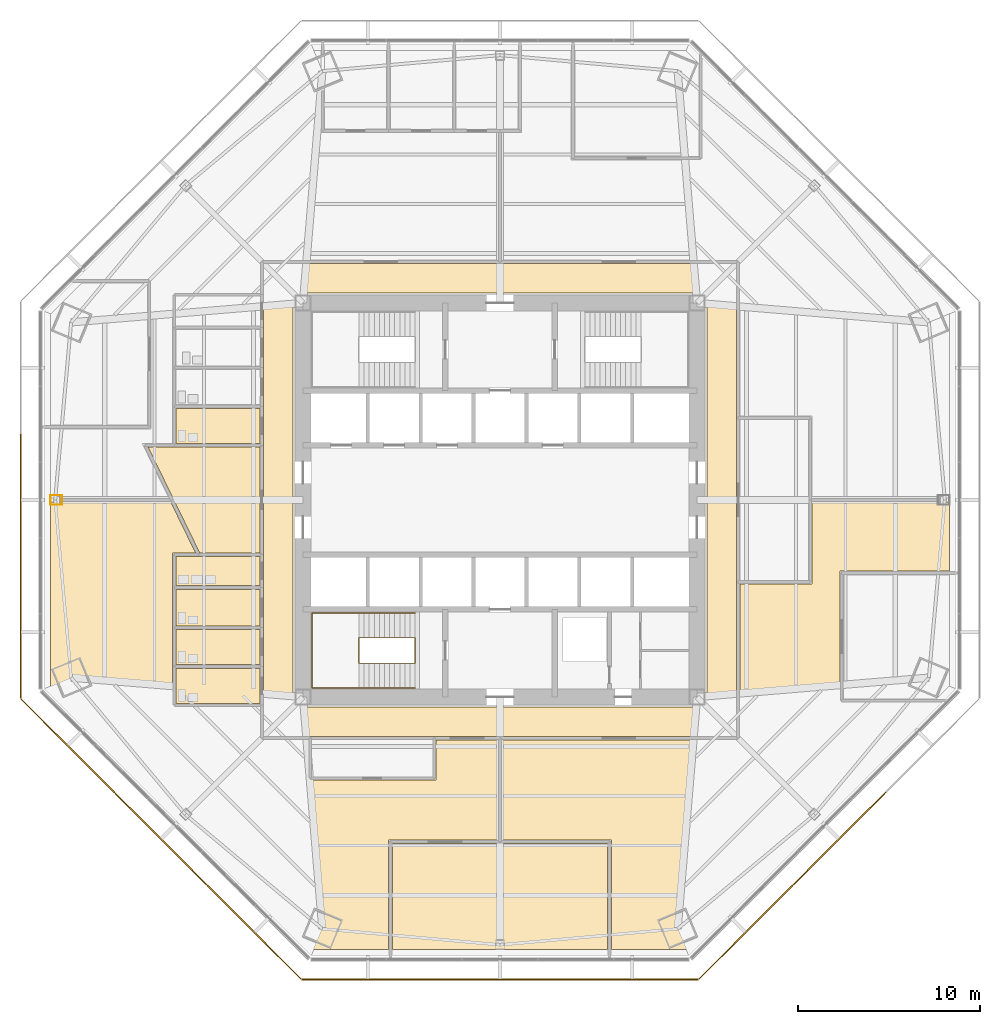
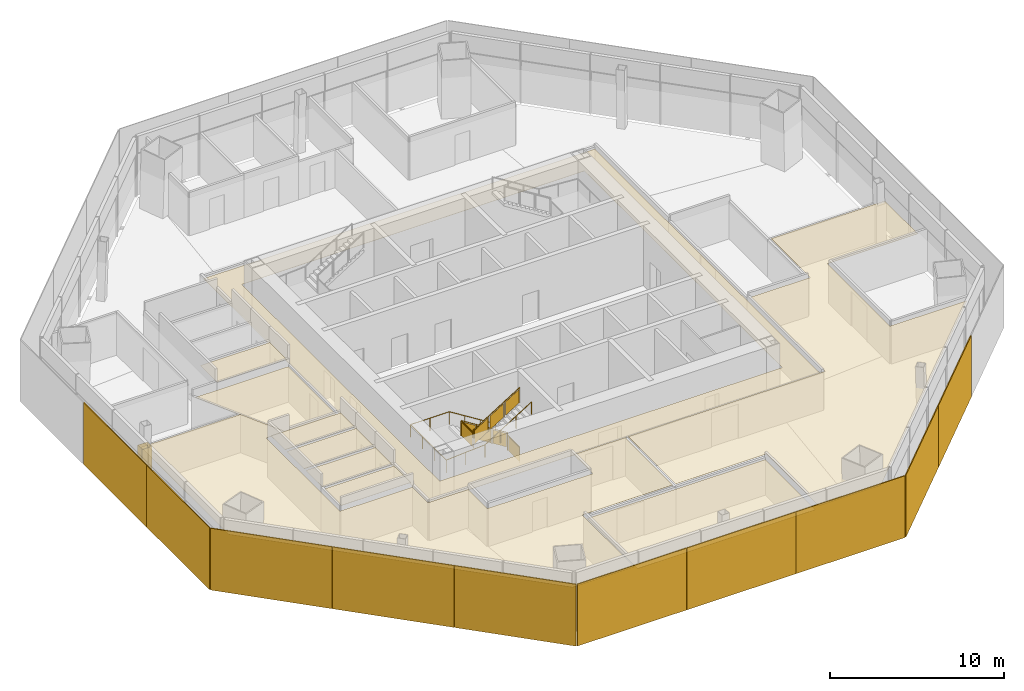
# One storey, part 13 of 16: 11 coverings, 10 shading devices, 2 railings.
"""IFC4 building model written with IfcOpenShell, lengths in metres."""

from ifc_helpers import new_model, si_unit, direction, frame, origin, origin_2d, place, context, subcontext, project, spatial, polyline, rectangle, circle, outline, extrude, source, transform, mapped, material, layer, layer_set, type_object, type_shapes, element, save


model = new_model("IFC4")

# Units and contexts
model_context = context("Model", 3, precision=1e-05, world=origin(), true_north=direction((0.0, 1.0)))
body_context = subcontext(model_context, "Body", "Model", "MODEL_VIEW")
ifc_project = project(units=[si_unit("LENGTHUNIT", "METRE"), si_unit("AREAUNIT", "SQUARE_METRE"), si_unit("VOLUMEUNIT", "CUBIC_METRE"), si_unit("PLANEANGLEUNIT", "RADIAN"), si_unit("MASSUNIT", "GRAM", prefix="KILO")], contexts=[model_context])

# Site, building, storey
site_placement = place(None, origin())
site = spatial("IfcSite", under=ifc_project, at=site_placement, CompositionType="ELEMENT")
building_placement = place(site_placement, origin())
building = spatial("IfcBuilding", under=site, at=building_placement, Name="Mashrafa Tower", CompositionType="ELEMENT")
storey_placement = place(building_placement, frame((0.0, 0.0, 100.199951171875)))
storey = spatial("IfcBuildingStorey", under=building, at=storey_placement, Name="L22", CompositionType="ELEMENT", Elevation=100.199951171875)

# Covering
ifc_material_1 = material(Name="Gypsum board")
ifc_layer_1 = layer(ifc_material_1, 0.014892578125)
ifc_layer_set_1 = layer_set([ifc_layer_1], Name="Column casing plasterboard 15")
covering_type_1 = type_object("IfcCoveringType", Name="Column casing plasterboard 15", PredefinedType="CLADDING", material=ifc_layer_set_1)
covering_1_placement = place(storey_placement, origin())
element("IfcCovering", 1, at=covering_1_placement, inside=storey, type_object=covering_type_1, Name="Column casing L22-002", PredefinedType="CLADDING", context=body_context, shape_type="SweptSolid", body=[
    extrude(outline(polyline([(-24.645263671875, 0.264892578125), (-23.996337890625, 0.264892578125), (-23.996337890625, -0.264892578125), (-24.645263671875, -0.264892578125), (-24.645263671875, 0.264892578125)]), holes=[polyline([(-24.01123046875, -0.25), (-24.01123046875, 0.25), (-24.63037109375, 0.25), (-24.63037109375, -0.25), (-24.01123046875, -0.25)])]), origin(), (0.0, 0.0, 1.0), 2.64013671875),
])

# Railings
ifc_material_2 = material(Name="Steel guard with glass infill", Category="steel")
railing_type_1 = type_object("IfcRailingType", Name="Stair guard 1100", PredefinedType="GUARDRAIL", material=ifc_material_2)
railing_1_placement = place(storey_placement, frame((-4.64990234375, -8.949951171875, 0.0)))
element("IfcRailing", 2, at=railing_1_placement, inside=storey, type_object=railing_type_1, Name="Stair S3 guard L22", PredefinedType="GUARDRAIL", context=body_context, shape_type="SweptSolid", body=[
    extrude(circle(Radius=0.02392578125, at=origin_2d()), frame((0.0, 0.0, 1.076171875), z_axis=(0.0, 1.0, 0.0), x_axis=(-1.0, 0.0, 0.0)), (0.0, 0.0, 1.0), 1.39990234375),
    extrude(circle(Radius=0.02392578125, at=origin_2d()), frame((0.0, 1.39990234375, 1.076171875), z_axis=(0.0, 0.0, 1.0), x_axis=(1.0, 0.0, 0.0)), (0.0, 0.0, 1.0), 0.175048828125),
    extrude(circle(Radius=0.02392578125, at=origin_2d()), frame((0.0, 1.39990234375, 1.2509765625), z_axis=(-0.847998304005, 0.0, 0.529998940003), x_axis=(0.0, -1.0, 0.0)), (0.0, 0.0, 1.0), 3.632080078125),
    extrude(circle(Radius=0.02392578125, at=origin_2d()), frame((-3.080078125, 1.39990234375, 3.17626953125), z_axis=(0.0, -1.0, 0.0), x_axis=(1.0, 0.0, 0.0)), (0.0, 0.0, 1.0), 1.39990234375),
    extrude(circle(Radius=0.02392578125, at=origin_2d()), frame((-3.080078125, 0.0, 3.17626953125), z_axis=(0.0, 0.0, 1.0), x_axis=(1.0, 0.0, 0.0)), (0.0, 0.0, 1.0), 0.175048828125),
    extrude(circle(Radius=0.02392578125, at=origin_2d()), frame((-3.080078125, 0.0, 3.35107421875), z_axis=(0.848028513186, 0.0, 0.529950602248), x_axis=(0.0, 1.0, 0.0)), (0.0, 0.0, 1.0), 3.632080078125),
    extrude(circle(Radius=0.02099609375, at=origin_2d()), origin(), (0.0, 0.0, 1.0), 1.052001953125),
    extrude(circle(Radius=0.02099609375, at=origin_2d()), frame((0.0, 1.39990234375, 0.0)), (0.0, 0.0, 1.0), 1.052001953125),
    extrude(circle(Radius=0.02099609375, at=origin_2d()), frame((0.0, 1.39990234375, 0.175048828125)), (0.0, 0.0, 1.0), 1.052001953125),
    extrude(circle(Radius=0.02099609375, at=origin_2d()), frame((-1.026611328125, 1.39990234375, 0.816650390625)), (0.0, 0.0, 1.0), 1.052001953125),
    extrude(circle(Radius=0.02099609375, at=origin_2d()), frame((-2.053466796875, 1.39990234375, 1.45849609375)), (0.0, 0.0, 1.0), 1.052001953125),
    extrude(circle(Radius=0.02099609375, at=origin_2d()), frame((-3.080078125, 1.39990234375, 2.10009765625)), (0.0, 0.0, 1.0), 1.052001953125),
    extrude(circle(Radius=0.02099609375, at=origin_2d()), frame((-3.080078125, 0.0, 2.10009765625)), (0.0, 0.0, 1.0), 1.052001953125),
    extrude(circle(Radius=0.02099609375, at=origin_2d()), frame((-3.080078125, 0.0, 2.275146484375)), (0.0, 0.0, 1.0), 1.052001953125),
    extrude(circle(Radius=0.02099609375, at=origin_2d()), frame((-2.053466796875, 0.0, 2.916748046875)), (0.0, 0.0, 1.0), 1.052001953125),
    extrude(circle(Radius=0.02099609375, at=origin_2d()), frame((-1.026611328125, 0.0, 3.558349609375)), (0.0, 0.0, 1.0), 1.052001953125),
    extrude(circle(Radius=0.02099609375, at=origin_2d()), frame((0.0, 0.0, 4.199951171875)), (0.0, 0.0, 1.0), 1.052001953125),
    extrude(outline(polyline([(0.071044921875, 0.050048828125), (1.328857421875, 0.050048828125), (1.328857421875, 1.001953125), (0.071044921875, 1.001953125), (0.071044921875, 0.050048828125)])), frame((0.006103515625, 0.0, 0.0), z_axis=(1.0, 0.0, 0.0), x_axis=(0.0, 1.0, 0.0)), (0.0, 0.0, 1.0), 0.011962890625),
    extrude(outline(polyline([(0.071044921875, 0.094482421875), (0.955810546875, 0.647216796875), (0.955810546875, 1.599365234375), (0.071044921875, 1.04638671875), (0.071044921875, 0.094482421875)])), frame((0.0, 1.406005859375, 0.175048828125), z_axis=(0.0, 1.0, 0.0), x_axis=(-1.0, 0.0, 0.0)), (0.0, 0.0, 1.0), 0.011962890625),
    extrude(outline(polyline([(1.09765625, 0.736083984375), (1.982421875, 1.2890625), (1.982421875, 2.240966796875), (1.09765625, 1.68798828125), (1.09765625, 0.736083984375)])), frame((0.0, 1.406005859375, 0.175048828125), z_axis=(0.0, 1.0, 0.0), x_axis=(-1.0, 0.0, 0.0)), (0.0, 0.0, 1.0), 0.011962890625),
    extrude(outline(polyline([(2.124267578125, 1.377685546875), (3.009033203125, 1.9306640625), (3.009033203125, 2.882568359375), (2.124267578125, 2.329833984375), (2.124267578125, 1.377685546875)])), frame((0.0, 1.406005859375, 0.175048828125), z_axis=(0.0, 1.0, 0.0), x_axis=(-1.0, 0.0, 0.0)), (0.0, 0.0, 1.0), 0.011962890625),
    extrude(outline(polyline([(0.071044921875, 0.050048828125), (1.328857421875, 0.050048828125), (1.328857421875, 1.001953125), (0.071044921875, 1.001953125), (0.071044921875, 0.050048828125)])), frame((-3.086181640625, 1.39990234375, 2.10009765625), z_axis=(-1.0, 0.0, 0.0), x_axis=(0.0, -1.0, 0.0)), (0.0, 0.0, 1.0), 0.011962890625),
    extrude(outline(polyline([(0.071044921875, 0.094482421875), (0.955810546875, 0.647216796875), (0.955810546875, 1.59912109375), (0.071044921875, 1.04638671875), (0.071044921875, 0.094482421875)])), frame((-3.080078125, -0.006103515625, 2.275146484375), z_axis=(0.0, -1.0, 0.0), x_axis=(1.0, 0.0, 0.0)), (0.0, 0.0, 1.0), 0.011962890625),
    extrude(outline(polyline([(1.09765625, 0.736083984375), (1.982421875, 1.288818359375), (1.982421875, 2.24072265625), (1.09765625, 1.68798828125), (1.09765625, 0.736083984375)])), frame((-3.080078125, -0.006103515625, 2.275146484375), z_axis=(0.0, -1.0, 0.0), x_axis=(1.0, 0.0, 0.0)), (0.0, 0.0, 1.0), 0.011962890625),
    extrude(outline(polyline([(2.124267578125, 1.377685546875), (3.009033203125, 1.930419921875), (3.009033203125, 2.88232421875), (2.124267578125, 2.32958984375), (2.124267578125, 1.377685546875)])), frame((-3.080078125, -0.006103515625, 2.275146484375), z_axis=(0.0, -1.0, 0.0), x_axis=(1.0, 0.0, 0.0)), (0.0, 0.0, 1.0), 0.011962890625),
])
ifc_material_3 = material(Name="Steel", Category="steel")
railing_type_2 = type_object("IfcRailingType", Name="Stair handrail 900", PredefinedType="HANDRAIL", material=ifc_material_3)
railing_2_placement = place(storey_placement, frame((-4.64990234375, -6.199951171875, 0.175048828125)))
element("IfcRailing", 3, at=railing_2_placement, inside=storey, type_object=railing_type_2, Name="Stair S3 handrail L22", PredefinedType="HANDRAIL", context=body_context, shape_type="SweptSolid", body=[
    extrude(circle(Radius=0.02392578125, at=origin_2d()), frame((0.0, 0.0, 0.8759765625), z_axis=(-0.847998304005, 0.0, 0.529998940003), x_axis=(0.0, -1.0, 0.0)), (0.0, 0.0, 1.0), 3.632080078125),
    extrude(circle(Radius=0.02392578125, at=origin_2d()), frame((-3.080078125, 0.0, 2.80078125), z_axis=(-1.0, 0.0, 0.0), x_axis=(0.0, -1.0, 0.0)), (0.0, 0.0, 1.0), 2.570068359375),
    extrude(circle(Radius=0.02392578125, at=origin_2d()), frame((-5.650146484375, 0.0, 2.80078125), z_axis=(0.0, -1.0, 0.0), x_axis=(1.0, 0.0, 0.0)), (0.0, 0.0, 1.0), 4.10009765625),
    extrude(circle(Radius=0.02392578125, at=origin_2d()), frame((-5.650146484375, -4.10009765625, 2.80078125), z_axis=(0.997688514158, 0.0, 0.067953136188), x_axis=(0.0, 1.0, 0.0)), (0.0, 0.0, 1.0), 2.575927734375),
    extrude(circle(Radius=0.02392578125, at=origin_2d()), frame((-3.080078125, -4.10009765625, 2.97607421875), z_axis=(0.848028513186, 0.0, 0.529950602248), x_axis=(0.0, 1.0, 0.0)), (0.0, 0.0, 1.0), 3.632080078125),
    extrude(circle(Radius=0.02099609375, at=origin_2d()), origin(), (0.0, 0.0, 1.0), 0.851806640625),
    extrude(circle(Radius=0.02099609375, at=origin_2d()), frame((-1.026611328125, 0.0, 0.6416015625)), (0.0, 0.0, 1.0), 0.851806640625),
    extrude(circle(Radius=0.02099609375, at=origin_2d()), frame((-2.053466796875, 0.0, 1.283447265625)), (0.0, 0.0, 1.0), 0.851806640625),
    extrude(circle(Radius=0.02099609375, at=origin_2d()), frame((-3.080078125, 0.0, 1.925048828125)), (0.0, 0.0, 1.0), 0.851806640625),
    extrude(circle(Radius=0.02099609375, at=origin_2d()), frame((-4.365234375, 0.0, 1.925048828125)), (0.0, 0.0, 1.0), 0.851806640625),
    extrude(circle(Radius=0.02099609375, at=origin_2d()), frame((-5.650146484375, 0.0, 1.925048828125)), (0.0, 0.0, 1.0), 0.851806640625),
    extrude(circle(Radius=0.02099609375, at=origin_2d()), frame((-5.650146484375, -1.36669921875, 1.925048828125)), (0.0, 0.0, 1.0), 0.851806640625),
    extrude(circle(Radius=0.02099609375, at=origin_2d()), frame((-5.650146484375, -2.7333984375, 1.925048828125)), (0.0, 0.0, 1.0), 0.851806640625),
    extrude(circle(Radius=0.02099609375, at=origin_2d()), frame((-5.650146484375, -4.10009765625, 1.925048828125)), (0.0, 0.0, 1.0), 0.851806640625),
    extrude(circle(Radius=0.02099609375, at=origin_2d()), frame((-4.365234375, -4.10009765625, 2.0126953125)), (0.0, 0.0, 1.0), 0.851806640625),
    extrude(circle(Radius=0.02099609375, at=origin_2d()), frame((-3.080078125, -4.10009765625, 2.10009765625)), (0.0, 0.0, 1.0), 0.851806640625),
    extrude(circle(Radius=0.02099609375, at=origin_2d()), frame((-2.053466796875, -4.10009765625, 2.74169921875)), (0.0, 0.0, 1.0), 0.851806640625),
    extrude(circle(Radius=0.02099609375, at=origin_2d()), frame((-1.026611328125, -4.10009765625, 3.38330078125)), (0.0, 0.0, 1.0), 0.851806640625),
    extrude(circle(Radius=0.02099609375, at=origin_2d()), frame((0.0, -4.10009765625, 4.02490234375)), (0.0, 0.0, 1.0), 0.851806640625),
])

# Coverings
ifc_material_4 = material(Name="Mineral fibre tile on suspension grid")
ifc_layer_2 = layer(ifc_material_4, 0.014892578125)
ifc_layer_set_2 = layer_set([ifc_layer_2], Name="Suspended ceiling mineral tile 15")
covering_type_2 = type_object("IfcCoveringType", Name="Suspended ceiling mineral tile 15", PredefinedType="CEILING", material=ifc_layer_set_2)
covering_2_placement = place(storey_placement, frame((0.0, 0.0, 2.5)))
element("IfcCovering", 4, at=covering_2_placement, inside=storey, type_object=covering_type_2, Name="Ceiling Office Corridor L22", PredefinedType="CEILING", context=body_context, shape_type="SweptSolid", body=[
    extrude(outline(polyline([(-12.949951171875, -12.949951171875), (-12.949951171875, 12.949951171875), (12.949951171875, 12.949951171875), (12.949951171875, -12.949951171875), (-12.949951171875, -12.949951171875)]), holes=[polyline([(11.35009765625, 11.35009765625), (-11.35009765625, 11.35009765625), (-11.35009765625, -11.35009765625), (11.35009765625, -11.35009765625), (11.35009765625, 11.35009765625)])]), origin(), (0.0, 0.0, 1.0), 0.01513671875),
])
covering_3_placement = place(storey_placement, frame((0.0, 0.0, 2.900146484375)))
element("IfcCovering", 5, at=covering_3_placement, inside=storey, type_object=covering_type_2, Name="Ceiling WC Female L22 N", PredefinedType="CEILING", context=body_context, shape_type="SweptSolid", body=[
    extrude(outline(polyline([(-17.75, 3.10009765625), (-17.75, 5.02490234375), (-13.14990234375, 5.02490234375), (-13.14990234375, 3.10009765625), (-17.75, 3.10009765625)])), origin(), (0.0, 0.0, 1.0), 0.014892578125),
])
covering_4_placement = place(storey_placement, frame((0.0, 0.0, 2.900146484375)))
element("IfcCovering", 6, at=covering_4_placement, inside=storey, type_object=covering_type_2, Name="Ceiling WC Female L22 S", PredefinedType="CEILING", context=body_context, shape_type="SweptSolid", body=[
    extrude(outline(polyline([(-17.75, -11.14990234375), (-17.75, -9.22509765625), (-13.14990234375, -9.22509765625), (-13.14990234375, -11.14990234375), (-17.75, -11.14990234375)])), origin(), (0.0, 0.0, 1.0), 0.014892578125),
])
covering_5_placement = place(storey_placement, frame((0.0, 0.0, 2.900146484375)))
element("IfcCovering", 7, at=covering_5_placement, inside=storey, type_object=covering_type_2, Name="Ceiling WC Male L22 S", PredefinedType="CEILING", context=body_context, shape_type="SweptSolid", body=[
    extrude(outline(polyline([(-17.75, -9.02490234375), (-17.75, -7.10009765625), (-13.14990234375, -7.10009765625), (-13.14990234375, -9.02490234375), (-17.75, -9.02490234375)])), origin(), (0.0, 0.0, 1.0), 0.014892578125),
])
covering_6_placement = place(storey_placement, frame((0.0, 0.0, 2.900146484375)))
element("IfcCovering", 8, at=covering_6_placement, inside=storey, type_object=covering_type_2, Name="Ceiling Accessible WC L22 S", PredefinedType="CEILING", context=body_context, shape_type="SweptSolid", body=[
    extrude(outline(polyline([(-17.75, -6.89990234375), (-17.75, -4.89990234375), (-13.14990234375, -4.89990234375), (-13.14990234375, -6.89990234375), (-17.75, -6.89990234375)])), origin(), (0.0, 0.0, 1.0), 0.014892578125),
])
covering_7_placement = place(storey_placement, frame((0.0, 0.0, 2.900146484375)))
element("IfcCovering", 9, at=covering_7_placement, inside=storey, type_object=covering_type_2, Name="Ceiling Ablution Room L22 S", PredefinedType="CEILING", context=body_context, shape_type="SweptSolid", body=[
    extrude(outline(polyline([(-17.75, -4.699951171875), (-17.75, -3.10009765625), (-13.14990234375, -3.10009765625), (-13.14990234375, -4.699951171875), (-17.75, -4.699951171875)])), origin(), (0.0, 0.0, 1.0), 0.014892578125),
])
covering_8_placement = place(storey_placement, frame((0.0, 0.0, 2.5)))
element("IfcCovering", 10, at=covering_8_placement, inside=storey, type_object=covering_type_2, Name="Ceiling Musallah Prayer Room 22", PredefinedType="CEILING", context=body_context, shape_type="SweptSolid", body=[
    extrude(outline(polyline([(-16.461181640625, -2.89990234375), (-19.2900390625, 2.89990234375), (-13.14990234375, 2.89990234375), (-13.14990234375, -2.89990234375), (-16.461181640625, -2.89990234375)])), origin(), (0.0, 0.0, 1.0), 0.01513671875),
])
covering_9_placement = place(storey_placement, frame((0.0, 0.0, 2.5)))
element("IfcCovering", 11, at=covering_9_placement, inside=storey, type_object=covering_type_2, Name="Ceiling Board Room 22", PredefinedType="CEILING", context=body_context, shape_type="SweptSolid", body=[
    extrude(outline(polyline([(-5.89990234375, -18.830078125), (5.89990234375, -18.830078125), (5.89990234375, -24.630126953125), (-5.89990234375, -24.630126953125), (-5.89990234375, -18.830078125)])), origin(), (0.0, 0.0, 1.0), 0.01513671875),
])
covering_10_placement = place(storey_placement, frame((0.0, 0.0, 2.699951171875)))
element("IfcCovering", 12, at=covering_10_placement, inside=storey, type_object=covering_type_2, Name="Ceiling Investor Relations Office 22-SW", PredefinedType="CEILING", context=body_context, shape_type="SweptSolid", body=[
    extrude(outline(polyline([(-0.10009765625, -13.14990234375), (-0.10009765625, -18.630126953125), (-6.10009765625, -18.630126953125), (-6.10009765625, -24.630126953125), (-10.2021484375, -24.630126953125), (-24.630126953125, -10.2021484375), (-24.630126953125, -0.10009765625), (-18.04931640625, -0.10009765625), (-16.68359375, -2.89990234375), (-17.949951171875, -2.89990234375), (-17.949951171875, -11.35009765625), (-13.14990234375, -11.35009765625), (-13.14990234375, -13.14990234375), (-10.5, -13.14990234375), (-10.5, -15.35009765625), (-3.5, -15.35009765625), (-3.5, -13.14990234375), (-0.10009765625, -13.14990234375)])), origin(), (0.0, 0.0, 1.0), 0.01513671875),
])
covering_11_placement = place(storey_placement, frame((0.0, 0.0, 2.699951171875)))
element("IfcCovering", 13, at=covering_11_placement, inside=storey, type_object=covering_type_2, Name="Ceiling Legal Office 22-SE", PredefinedType="CEILING", context=body_context, shape_type="SweptSolid", body=[
    extrude(outline(polyline([(17.10009765625, -0.10009765625), (24.630126953125, -0.10009765625), (24.630126953125, -3.89990234375), (18.630126953125, -3.89990234375), (18.630126953125, -11.10009765625), (23.732421875, -11.10009765625), (10.2021484375, -24.630126953125), (6.10009765625, -24.630126953125), (6.10009765625, -18.630126953125), (0.10009765625, -18.630126953125), (0.10009765625, -13.14990234375), (13.14990234375, -13.14990234375), (13.14990234375, -4.60009765625), (17.10009765625, -4.60009765625), (17.10009765625, -0.10009765625)])), origin(), (0.0, 0.0, 1.0), 0.01513671875),
])

# Shading devices
ifc_material_5 = material(Name="Perforated aluminium plate, eight-point star pattern", Category="aluminium")
ifc_layer_3 = layer(ifc_material_5, 0.06005859375)
ifc_layer_set_3 = layer_set([ifc_layer_3], Name="Mashrabiya screen panel office zone 1, 45 percent open")
shading_device_type = type_object("IfcShadingDeviceType", Name="Mashrabiya screen panel office zone 1, 45 percent open", PredefinedType="SHUTTER", material=ifc_layer_set_3)
shared_shape = source(origin(), body_context, "Body", "SweptSolid", [
    extrude(rectangle(XDim=7.22216796875, YDim=0.06005859375, at=origin_2d()), origin(), (0.0, 0.0, 1.0), 4.330078125),
])
type_shapes(shading_device_type, [shared_shape])
for number, where, z_axis, x_axis, name in (
    (14, (-26.2802734375, 0.0, -0.14990234375), (0.0, 0.0, 1.0), (0.0, -1.0, 0.0), "Mashrabiya screen L22 west 2"),
    (15, (-26.2802734375, -7.2421875, -0.14990234375), (0.0, 0.0, 1.0), (0.0, -1.0, 0.0), "Mashrabiya screen L22 west 3"),
    (16, (-23.703857421875, -13.4619140625, -0.14990234375), (0.0, 0.0, 1.0), (0.707106781187, -0.707106781187, 0.0), "Mashrabiya screen L22 south-west 1"),
    (17, (-18.5830078125, -18.5830078125, -0.14990234375), (0.0, 0.0, 1.0), (0.707106781187, -0.707106781187, 0.0), "Mashrabiya screen L22 south-west 2"),
    (18, (-13.4619140625, -23.703857421875, -0.14990234375), (0.0, 0.0, 1.0), (0.707106781187, -0.707106781187, 0.0), "Mashrabiya screen L22 south-west 3"),
    (19, (-7.2421875, -26.2802734375, -0.14990234375), (0.0, 0.0, 1.0), (1.0, 0.0, 0.0), "Mashrabiya screen L22 south 1"),
    (20, (0.0, -26.2802734375, -0.14990234375), (0.0, 0.0, 1.0), (1.0, 0.0, 0.0), "Mashrabiya screen L22 south 2"),
    (21, (7.2421875, -26.2802734375, -0.14990234375), (0.0, 0.0, 1.0), (1.0, 0.0, 0.0), "Mashrabiya screen L22 south 3"),
    (22, (13.4619140625, -23.703857421875, -0.14990234375), (0.0, 0.0, 1.0), (0.707106781187, 0.707106781187, 0.0), "Mashrabiya screen L22 south-east 1"),
    (23, (18.5830078125, -18.5830078125, -0.14990234375), (0.0, 0.0, 1.0), (0.707106781187, 0.707106781187, 0.0), "Mashrabiya screen L22 south-east 2"),
):
    element("IfcShadingDevice", number, at=place(storey_placement, frame(where, z_axis=z_axis, x_axis=x_axis)), inside=storey, type_object=shading_device_type, Name=name, PredefinedType="SHUTTER", context=body_context, shape_type="MappedRepresentation", body=[
        mapped(shared_shape, transform((0.0, 0.0, 0.0))),
    ])

save(model, "model.ifc")
